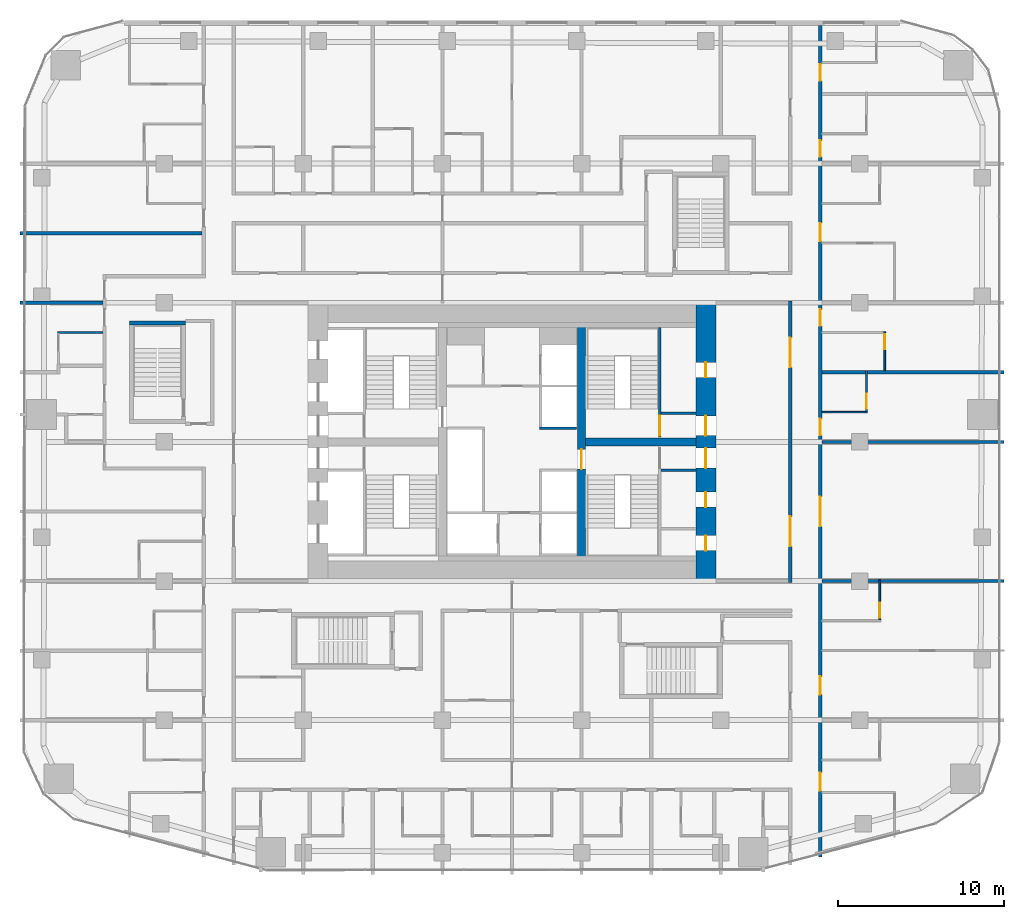
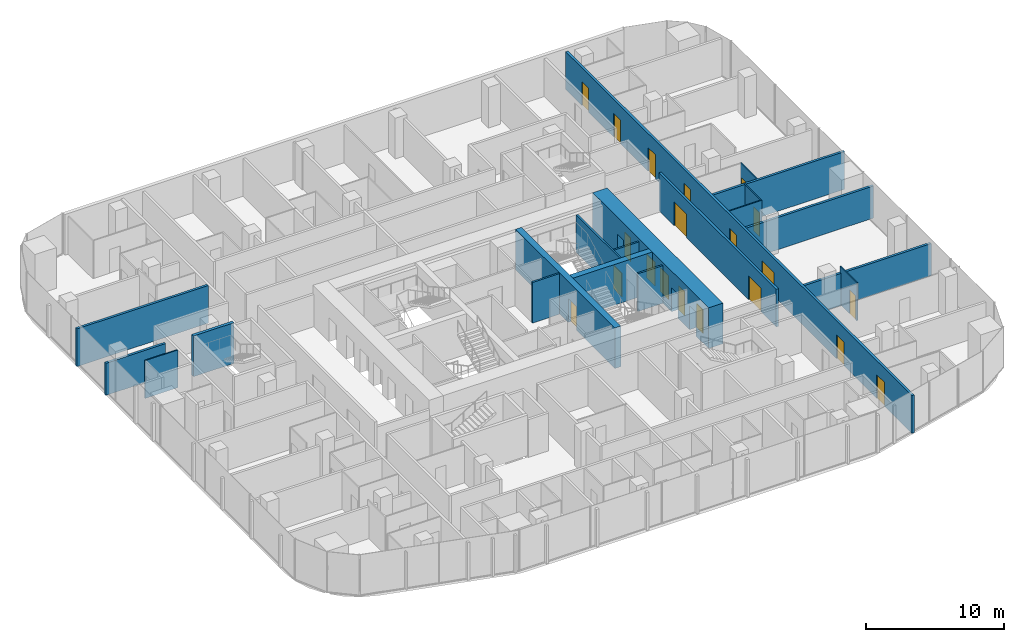
# One storey, part 20 of 26: 20 doors, 20 walls, 20 openings.
"""IFC4 building model written with IfcOpenShell, lengths in metres."""

import ifcopenshell
import ifcopenshell.guid

model = None  # the IFC model being written
_history = None  # IfcOwnerHistory: only IFC2X3 demands one
_inside = {}  # id of a spatial element -> (the spatial element, [elements in it])
_under = {}  # id of a project, library or spatial element -> (it, [spatial elements below it])
_declared = {}  # id of a project -> (the project, [libraries it declares])
_typed = {}  # id of a type object -> (the type object, [elements of that type])
_made_of = {}  # id of a material, layer set ... -> (it, [elements and type objects made of it])


def new_model(schema):
    """Start an empty IFC model of exactly this schema.

    Asked for "IFC4X3", IfcOpenShell would pick the latest addendum, in which some entities
    have other attributes; the version numbers below select the first issue.
    IFC2X3 requires an IfcOwnerHistory on every rooted entity: one is made here for all.
    """
    global model, _history
    if schema == "IFC4X3":
        model = ifcopenshell.file(schema_version=(4, 3, 0, 0))
    else:
        model = ifcopenshell.file(schema=schema)
    _inside.clear()
    _under.clear()
    _declared.clear()
    _typed.clear()
    _made_of.clear()
    _history = None
    if model.schema == "IFC2X3":
        org = make("IfcOrganization", Name="unknown")
        user = make(
            "IfcPersonAndOrganization",
            ThePerson=make("IfcPerson", FamilyName="unknown"),
            TheOrganization=org,
        )
        app = make(
            "IfcApplication",
            ApplicationDeveloper=org,
            Version="unknown",
            ApplicationFullName="unknown",
            ApplicationIdentifier="unknown",
        )
        _history = make(
            "IfcOwnerHistory",
            OwningUser=user,
            OwningApplication=app,
            ChangeAction="ADDED",
            CreationDate=0,
        )
    return model


def make(cls, **values):
    """One entity of the class cls with the attributes given. An attribute that is None is left unset."""
    return model.create_entity(
        cls, **{name: value for name, value in values.items() if value is not None}
    )


def rooted(cls, **values):
    """An entity with a GlobalId (a new one), such as an element, a storey or a relation."""
    return make(cls, GlobalId=ifcopenshell.guid.new(), OwnerHistory=_history, **values)


def si_unit(unit_type, name, prefix=None):
    """IfcSIUnit, for example si_unit("LENGTHUNIT", "METRE", prefix="MILLI")."""
    return make("IfcSIUnit", UnitType=unit_type, Prefix=prefix, Name=name)


def assignment(units):
    """IfcUnitAssignment: the units of a project."""
    return None if units is None else make("IfcUnitAssignment", Units=units)


def point(xyz):
    """IfcCartesianPoint."""
    return None if xyz is None else make("IfcCartesianPoint", Coordinates=xyz)


def direction(xyz):
    """IfcDirection."""
    return None if xyz is None else make("IfcDirection", DirectionRatios=xyz)


def frame(location, z_axis=None, x_axis=None):
    """IfcAxis2Placement3D, a coordinate frame: its origin and axes. An axis left out is left unset."""
    return make(
        "IfcAxis2Placement3D",
        Location=point(location),
        Axis=direction(z_axis),
        RefDirection=direction(x_axis),
    )


def frame_2d(location, x_axis=None):
    """IfcAxis2Placement2D, a coordinate frame in the plane: its origin and x axis."""
    return make(
        "IfcAxis2Placement2D", Location=point(location), RefDirection=direction(x_axis)
    )


def origin():
    """The frame at (0, 0, 0) with its axes left unset."""
    return frame((0.0, 0.0, 0.0))


def place(relative_to, where):
    """IfcLocalPlacement: puts the frame where relative to a parent placement (None: the world)."""
    return make(
        "IfcLocalPlacement", PlacementRelTo=relative_to, RelativePlacement=where
    )


def context(
    kind, dimensions, precision=None, world=None, true_north=None, identifier=None
):
    """IfcGeometricRepresentationContext, for example the 3D "Model" context."""
    return make(
        "IfcGeometricRepresentationContext",
        ContextIdentifier=identifier,
        ContextType=kind,
        CoordinateSpaceDimension=dimensions,
        Precision=precision,
        WorldCoordinateSystem=world,
        TrueNorth=true_north,
    )


def subcontext(parent, identifier, kind, view, scale=None):
    """IfcGeometricRepresentationSubContext, for example "Body" below "Model"."""
    return make(
        "IfcGeometricRepresentationSubContext",
        ContextIdentifier=identifier,
        ContextType=kind,
        ParentContext=parent,
        TargetScale=scale,
        TargetView=view,
    )


def project(units=None, contexts=None):
    """IfcProject with its units and contexts."""
    return rooted(
        "IfcProject",
        Name="project",
        RepresentationContexts=contexts,
        UnitsInContext=assignment(units),
    )


def spatial(cls, under=None, at=None, **own):
    """A site, building, storey or space (cls), placed at a placement, below another one or the project."""
    s = rooted(cls, ObjectPlacement=at, **own)
    if under is not None:
        _under.setdefault(under.id(), (under, []))[1].append(s)
    return s


def profile(cls, at=None, kind="AREA", **sizes):
    """A parametric profile (cls). Its sizes go by their IFC names, for example OverallWidth=200.0."""
    return make(cls, ProfileType=kind, Position=at, **sizes)


def rectangle(**sizes):
    """IfcRectangleProfileDef."""
    return profile("IfcRectangleProfileDef", **sizes)


def extrude(swept, where, along, depth):
    """IfcExtrudedAreaSolid: the profile swept, set in the frame where, extruded along a direction by depth."""
    return make(
        "IfcExtrudedAreaSolid",
        SweptArea=swept,
        Position=where,
        ExtrudedDirection=direction(along),
        Depth=depth,
    )


def shape(context_of_items, identifier, shape_type, items):
    """IfcShapeRepresentation: the items that make up one representation, for example the "Body"."""
    return make(
        "IfcShapeRepresentation",
        ContextOfItems=context_of_items,
        RepresentationIdentifier=identifier,
        RepresentationType=shape_type,
        Items=items,
    )


def material(Name=None, Category=None):
    """IfcMaterial."""
    return make("IfcMaterial", Name=Name, Category=Category)


def layer(
    of_material, thickness, ventilated=None, Name=None, Category=None, Priority=None
):
    """IfcMaterialLayer: one layer of a wall or slab, of a material (None: an air gap)."""
    return make(
        "IfcMaterialLayer",
        Material=of_material,
        LayerThickness=thickness,
        IsVentilated=ventilated,
        Name=Name,
        Category=Category,
        Priority=Priority,
    )


def layer_set(layers, Name=None):
    """IfcMaterialLayerSet."""
    return make("IfcMaterialLayerSet", MaterialLayers=layers, LayerSetName=Name)


def made_of(thing, what):
    """Note that an element or type object is made of a material, layer set ...; save() writes the relation."""
    if what is not None:
        _made_of.setdefault(what.id(), (what, []))[1].append(thing)
    return thing


def type_object(cls, material=None, **own):
    """A type object (cls), such as IfcWallType, which elements share."""
    return made_of(rooted(cls, **own), material)


def element(
    cls,
    number,
    at=None,
    inside=None,
    cuts=None,
    type_object=None,
    material=None,
    context=None,
    identifier="Body",
    shape_type=None,
    held_by="IfcProductDefinitionShape",
    body=None,
    shapes=None,
    **own,
):
    """One element of the class cls, such as IfcWall. Its Tag is "e" and its number.

    at: its placement. inside: the storey or other place that contains it. cuts: it is an
    opening in that element (IfcRelVoidsElement). A single representation is given by context,
    identifier, shape_type and body (its items); several are given by shapes. held_by: the class
    of the entity that holds the representations. save() writes the other relations.
    """
    e = rooted(cls, Tag="e%d" % number, ObjectPlacement=at, **own)
    if body is not None:
        shapes = [shape(context, identifier, shape_type, body)]
    if shapes is not None:
        e.Representation = make(held_by, Representations=shapes)
    if inside is not None:
        _inside.setdefault(inside.id(), (inside, []))[1].append(e)
    if cuts is not None:
        rooted(
            "IfcRelVoidsElement", RelatingBuildingElement=cuts, RelatedOpeningElement=e
        )
    if type_object is not None:
        _typed.setdefault(type_object.id(), (type_object, []))[1].append(e)
    return made_of(e, material)


def fill(opening, filler):
    """IfcRelFillsElement: the door or window that sits in an opening."""
    return rooted(
        "IfcRelFillsElement",
        RelatingOpeningElement=opening,
        RelatedBuildingElement=filler,
    )


def aggregate(whole, parts):
    """IfcRelAggregates: a whole, such as a stair, and the parts it consists of."""
    return rooted("IfcRelAggregates", RelatingObject=whole, RelatedObjects=parts)


def save(model, path):
    """Write the relations noted so far, then the file.

    IfcRelAggregates (storeys below a building ...), IfcRelContainedInSpatialStructure (elements
    in a storey), IfcRelDefinesByType, IfcRelAssociatesMaterial and IfcRelDeclares: one each for
    every whole, place, type object, material and project.
    """
    for whole, parts in _under.values():
        aggregate(whole, parts)
    for where, things in _inside.values():
        rooted(
            "IfcRelContainedInSpatialStructure",
            RelatedElements=things,
            RelatingStructure=where,
        )
    for kind, things in _typed.values():
        rooted("IfcRelDefinesByType", RelatedObjects=things, RelatingType=kind)
    for what, things in _made_of.values():
        rooted("IfcRelAssociatesMaterial", RelatedObjects=things, RelatingMaterial=what)
    for by, libraries in _declared.values():
        rooted("IfcRelDeclares", RelatingContext=by, RelatedDefinitions=libraries)
    model.write(path)


model = new_model("IFC4")

# Units and contexts
model_context = context("Model", 3, precision=1e-05, world=origin(), true_north=direction((0.0, 1.0)))
body_context = subcontext(model_context, "Body", "Model", "MODEL_VIEW")
ifc_project = project(units=[si_unit("LENGTHUNIT", "METRE"), si_unit("AREAUNIT", "SQUARE_METRE"), si_unit("VOLUMEUNIT", "CUBIC_METRE"), si_unit("PLANEANGLEUNIT", "RADIAN"), si_unit("MASSUNIT", "GRAM", prefix="KILO")], contexts=[model_context])

# Site, building, storey
site_placement = place(None, origin())
site = spatial("IfcSite", under=ifc_project, at=site_placement, CompositionType="ELEMENT")
building_placement = place(site_placement, origin())
building = spatial("IfcBuilding", under=site, at=building_placement, Name="Marenta Gate Hotel Tower", CompositionType="ELEMENT")
storey_placement = place(building_placement, frame((0.0, 0.0, 43.699951171875)))
storey = spatial("IfcBuildingStorey", under=building, at=storey_placement, Name="L08", CompositionType="ELEMENT", Elevation=43.699951171875)

# Wall, openings, doors
ifc_material_1 = material(Name="Concrete blockwork", Category="masonry")
ifc_layer_1 = layer(ifc_material_1, 0.199951171875)
ifc_layer_set_1 = layer_set([ifc_layer_1], Name="Concrete blockwork")
wall_type_1 = type_object("IfcWallType", Name="Core boundary wall 200 REI 180", PredefinedType="PARTITIONING", material=ifc_layer_set_1)
wall_1_placement = place(storey_placement, frame((16.800048828125, -0.10009765625, 0.0), z_axis=(0.0, 0.0, 1.0), x_axis=(0.0, 1.0, 0.0)))
wall_1 = element("IfcWall", 1, at=wall_1_placement, inside=storey, type_object=wall_type_1, Name="L08-CP-BW-E", PredefinedType="PARTITIONING", context=body_context, shape_type="SweptSolid", body=[
    extrude(rectangle(XDim=17.0, YDim=0.199951171875, at=frame_2d((8.5, 0.0))), origin(), (0.0, 0.0, 1.0), 3.340087890625),
])
opening_1_placement = place(wall_1_placement, frame((2.199951171875, 0.0, 0.0)))
opening_1 = element("IfcOpeningElement", 2, at=opening_1_placement, cuts=wall_1, Name="Opening ED-Ea-B", PredefinedType="OPENING", context=body_context, shape_type="SweptSolid", body=[
    extrude(rectangle(XDim=1.800048828125, YDim=2.10009765625, at=frame_2d((0.89990234375, 1.050048828125))), frame((0.0, 0.10009765625, 0.0), z_axis=(0.0, -1.0, 0.0), x_axis=(1.0, 0.0, 0.0)), (0.0, 0.0, 1.0), 0.199951171875),
])
opening_2_placement = place(wall_1_placement, frame((13.0, 0.0, 0.0)))
opening_2 = element("IfcOpeningElement", 3, at=opening_2_placement, cuts=wall_1, Name="Opening ED-Eb-B", PredefinedType="OPENING", context=body_context, shape_type="SweptSolid", body=[
    extrude(rectangle(XDim=1.800048828125, YDim=2.10009765625, at=frame_2d((0.89990234375, 1.050048828125))), frame((0.0, 0.10009765625, 0.0), z_axis=(0.0, -1.0, 0.0), x_axis=(1.0, 0.0, 0.0)), (0.0, 0.0, 1.0), 0.199951171875),
])
ifc_material_2 = material(Name="Steel", Category="steel")
door_type_1 = type_object("IfcDoorType", Name="Core lobby entrance door 1800x2100 EI 60", OperationType="DOUBLE_DOOR_SINGLE_SWING", PredefinedType="DOOR", material=ifc_material_2)
door_1_placement = place(opening_1_placement, origin())
door_1 = element("IfcDoor", 4, at=door_1_placement, inside=storey, type_object=door_type_1, Name="ED-Ea-B", OperationType="DOUBLE_DOOR_SINGLE_SWING", OverallHeight=2.10009765625, OverallWidth=1.800048828125, PredefinedType="DOOR", context=body_context, shape_type="SweptSolid", body=[
    extrude(rectangle(XDim=1.800048828125, YDim=2.10009765625, at=frame_2d((0.89990234375, 1.050048828125))), frame((0.0, 0.02490234375, 0.0), z_axis=(0.0, -1.0, 0.0), x_axis=(1.0, 0.0, 0.0)), (0.0, 0.0, 1.0), 0.050048828125),
])
fill(opening_1, door_1)
door_2_placement = place(opening_2_placement, origin())
door_2 = element("IfcDoor", 5, at=door_2_placement, inside=storey, type_object=door_type_1, Name="ED-Eb-B", OperationType="DOUBLE_DOOR_SINGLE_SWING", OverallHeight=2.10009765625, OverallWidth=1.800048828125, PredefinedType="DOOR", context=body_context, shape_type="SweptSolid", body=[
    extrude(rectangle(XDim=1.800048828125, YDim=2.10009765625, at=frame_2d((0.89990234375, 1.050048828125))), frame((0.0, 0.02490234375, 0.0), z_axis=(0.0, -1.0, 0.0), x_axis=(1.0, 0.0, 0.0)), (0.0, 0.0, 1.0), 0.050048828125),
])
fill(opening_2, door_2)

# Walls
ifc_material_3 = material(Name="Concrete blockwork", Category="masonry")
ifc_layer_2 = layer(ifc_material_3, 0.14990234375)
ifc_layer_set_2 = layer_set([ifc_layer_2], Name="Concrete blockwork")
wall_type_2 = type_object("IfcWallType", Name="Core room partition 150 REI 180", PredefinedType="PARTITIONING", material=ifc_layer_set_2)
for number, where, z_axis, x_axis, name in (
    (6, (9.0, 6.675048828125, 0.0), (0.0, 0.0, 1.0), (1.0, 0.0, 0.0), "L08-CP-SW-ES-2"),
    (7, (9.0, 10.125, 0.0), (0.0, 0.0, 1.0), (1.0, 0.0, 0.0), "L08-CP-SW-EN-2"),
):
    element("IfcWall", number, at=place(storey_placement, frame(where, z_axis=z_axis, x_axis=x_axis)), inside=storey, type_object=wall_type_2, Name=name, PredefinedType="PARTITIONING", context=body_context, shape_type="SweptSolid", body=[
        extrude(rectangle(XDim=2.10009765625, YDim=0.14990234375, at=frame_2d((1.050048828125, 0.0))), origin(), (0.0, 0.0, 1.0), 3.340087890625),
    ])
ifc_material_4 = material(Name="Concrete C40", Category="concrete")
ifc_layer_3 = layer(ifc_material_4, 0.14990234375)
ifc_layer_set_3 = layer_set([ifc_layer_3], Name="Concrete C40")
wall_type_3 = type_object("IfcWallType", Name="Core shaft wall 150 REI 180", PredefinedType="SHEAR", material=ifc_layer_set_3)
wall_2_placement = place(storey_placement, frame((1.64990234375, 9.22509765625, 0.0), z_axis=(0.0, 0.0, 1.0), x_axis=(1.0, 0.0, 0.0)))
element("IfcWall", 8, at=wall_2_placement, inside=storey, type_object=wall_type_3, Name="L08-SHF-CE-sep2", PredefinedType="SHEAR", context=body_context, shape_type="SweptSolid", body=[
    extrude(rectangle(XDim=2.25, YDim=0.14990234375, at=frame_2d((1.125, 0.0))), origin(), (0.0, 0.0, 1.0), 3.60009765625),
])

# Wall, opening, door
ifc_material_5 = material(Name="Concrete C40", Category="concrete")
ifc_layer_4 = layer(ifc_material_5, 0.14990234375)
ifc_layer_set_4 = layer_set([ifc_layer_4], Name="Concrete C40")
wall_type_4 = type_object("IfcWallType", Name="Core stair enclosure wall 150 REI 180", PredefinedType="SHEAR", material=ifc_layer_set_4)
wall_3_placement = place(storey_placement, frame((8.925048828125, 8.699951171875, 0.0), z_axis=(0.0, 0.0, 1.0), x_axis=(0.0, 1.0, 0.0)))
wall_3 = element("IfcWall", 9, at=wall_3_placement, inside=storey, type_object=wall_type_4, Name="L08-SHF-SW-EN-3", PredefinedType="SHEAR", context=body_context, shape_type="SweptSolid", body=[
    extrude(rectangle(XDim=6.60009765625, YDim=0.14990234375, at=frame_2d((3.300048828125, 0.0))), origin(), (0.0, 0.0, 1.0), 3.340087890625),
])
opening_3_placement = place(wall_3_placement, frame((0.074951171875, 0.0, 0.0)))
opening_3 = element("IfcOpeningElement", 10, at=opening_3_placement, cuts=wall_3, Name="Opening SD-EN", PredefinedType="OPENING", context=body_context, shape_type="SweptSolid", body=[
    extrude(rectangle(XDim=1.199951171875, YDim=2.10009765625, at=frame_2d((0.60009765625, 1.050048828125))), frame((0.0, 0.074951171875, 0.0), z_axis=(0.0, -1.0, 0.0), x_axis=(1.0, 0.0, 0.0)), (0.0, 0.0, 1.0), 0.14990234375),
])
ifc_material_6 = material(Name="Steel", Category="steel")
door_type_2 = type_object("IfcDoorType", Name="Core stair door 1200x2100 FD60", OperationType="SINGLE_SWING_LEFT", PredefinedType="DOOR", material=ifc_material_6)
door_3_placement = place(opening_3_placement, origin())
door_3 = element("IfcDoor", 11, at=door_3_placement, inside=storey, type_object=door_type_2, Name="SD-EN", OperationType="SINGLE_SWING_LEFT", OverallHeight=2.10009765625, OverallWidth=1.199951171875, PredefinedType="DOOR", context=body_context, shape_type="SweptSolid", body=[
    extrude(rectangle(XDim=1.199951171875, YDim=2.10009765625, at=frame_2d((0.60009765625, 1.050048828125))), frame((0.0, 0.02490234375, 0.0), z_axis=(0.0, -1.0, 0.0), x_axis=(1.0, 0.0, 0.0)), (0.0, 0.0, 1.0), 0.050048828125),
])
fill(opening_3, door_3)

# Wall, openings, doors
ifc_material_7 = material(Name="Concrete C80", Category="concrete")
ifc_layer_5 = layer(ifc_material_7, 1.199951171875)
ifc_layer_set_5 = layer_set([ifc_layer_5], Name="Concrete C80")
wall_type_5 = type_object("IfcWallType", Name="Core wall 1200 C80", PredefinedType="SHEAR", material=ifc_layer_set_5)
wall_4_placement = place(storey_placement, frame((11.699951171875, 0.0, 0.0), z_axis=(0.0, 0.0, 1.0), x_axis=(0.0, 1.0, 0.0)))
wall_4 = element("IfcWall", 12, at=wall_4_placement, inside=storey, type_object=wall_type_5, Name="L08-CORE-E", PredefinedType="SHEAR", context=body_context, shape_type="SweptSolid", body=[
    extrude(rectangle(XDim=16.800048828125, YDim=1.199951171875, at=frame_2d((8.39990234375, 0.0))), origin(), (0.0, 0.0, 1.0), 3.60009765625),
])
opening_4_placement = place(wall_4_placement, frame((1.83740234375, 0.0, 0.0)))
opening_4 = element("IfcOpeningElement", 13, at=opening_4_placement, cuts=wall_4, Name="Opening RD-ES-1", PredefinedType="OPENING", context=body_context, shape_type="SweptSolid", body=[
    extrude(rectangle(XDim=0.89990234375, YDim=2.10009765625, at=frame_2d((0.449951171875, 1.050048828125))), frame((0.0, 0.60009765625, 0.0), z_axis=(0.0, -1.0, 0.0), x_axis=(1.0, 0.0, 0.0)), (0.0, 0.0, 1.0), 1.199951171875),
])
opening_5_placement = place(wall_4_placement, frame((4.46240234375, 0.0, 0.0)))
opening_5 = element("IfcOpeningElement", 14, at=opening_5_placement, cuts=wall_4, Name="Opening RD-ES-2", PredefinedType="OPENING", context=body_context, shape_type="SweptSolid", body=[
    extrude(rectangle(XDim=0.89990234375, YDim=2.10009765625, at=frame_2d((0.449951171875, 1.050048828125))), frame((0.0, 0.60009765625, 0.0), z_axis=(0.0, -1.0, 0.0), x_axis=(1.0, 0.0, 0.0)), (0.0, 0.0, 1.0), 1.199951171875),
])
opening_6_placement = place(wall_4_placement, frame((6.824951171875, 0.0, 0.0)))
opening_6 = element("IfcOpeningElement", 15, at=opening_6_placement, cuts=wall_4, Name="Opening PD-ES", PredefinedType="OPENING", context=body_context, shape_type="SweptSolid", body=[
    extrude(rectangle(XDim=1.199951171875, YDim=2.10009765625, at=frame_2d((0.60009765625, 1.050048828125))), frame((0.0, 0.60009765625, 0.0), z_axis=(0.0, -1.0, 0.0), x_axis=(1.0, 0.0, 0.0)), (0.0, 0.0, 1.0), 1.199951171875),
])
opening_7_placement = place(wall_4_placement, frame((12.300048828125, 0.0, 0.0)))
opening_7 = element("IfcOpeningElement", 16, at=opening_7_placement, cuts=wall_4, Name="Opening RD-EN-1", PredefinedType="OPENING", context=body_context, shape_type="SweptSolid", body=[
    extrude(rectangle(XDim=0.89990234375, YDim=2.10009765625, at=frame_2d((0.449951171875, 1.050048828125))), frame((0.0, 0.60009765625, 0.0), z_axis=(0.0, -1.0, 0.0), x_axis=(1.0, 0.0, 0.0)), (0.0, 0.0, 1.0), 1.199951171875),
])
opening_8_placement = place(wall_4_placement, frame((8.77490234375, 0.0, 0.0)))
opening_8 = element("IfcOpeningElement", 17, at=opening_8_placement, cuts=wall_4, Name="Opening PD-EN", PredefinedType="OPENING", context=body_context, shape_type="SweptSolid", body=[
    extrude(rectangle(XDim=1.199951171875, YDim=2.10009765625, at=frame_2d((0.60009765625, 1.050048828125))), frame((0.0, 0.60009765625, 0.0), z_axis=(0.0, -1.0, 0.0), x_axis=(1.0, 0.0, 0.0)), (0.0, 0.0, 1.0), 1.199951171875),
])
ifc_material_8 = material(Name="Steel", Category="steel")
door_type_3 = type_object("IfcDoorType", Name="Core lobby door 1200x2100 FD60", OperationType="SINGLE_SWING_LEFT", PredefinedType="DOOR", material=ifc_material_8)
door_4_placement = place(opening_6_placement, origin())
door_4 = element("IfcDoor", 18, at=door_4_placement, inside=storey, type_object=door_type_3, Name="PD-ES", OperationType="SINGLE_SWING_LEFT", OverallHeight=2.10009765625, OverallWidth=1.199951171875, PredefinedType="DOOR", context=body_context, shape_type="SweptSolid", body=[
    extrude(rectangle(XDim=1.199951171875, YDim=2.10009765625, at=frame_2d((0.60009765625, 1.050048828125))), frame((0.0, 0.02490234375, 0.0), z_axis=(0.0, -1.0, 0.0), x_axis=(1.0, 0.0, 0.0)), (0.0, 0.0, 1.0), 0.050048828125),
])
fill(opening_6, door_4)
door_5_placement = place(opening_8_placement, origin())
door_5 = element("IfcDoor", 19, at=door_5_placement, inside=storey, type_object=door_type_3, Name="PD-EN", OperationType="SINGLE_SWING_LEFT", OverallHeight=2.10009765625, OverallWidth=1.199951171875, PredefinedType="DOOR", context=body_context, shape_type="SweptSolid", body=[
    extrude(rectangle(XDim=1.199951171875, YDim=2.10009765625, at=frame_2d((0.60009765625, 1.050048828125))), frame((0.0, 0.02490234375, 0.0), z_axis=(0.0, -1.0, 0.0), x_axis=(1.0, 0.0, 0.0)), (0.0, 0.0, 1.0), 0.050048828125),
])
fill(opening_8, door_5)
ifc_material_9 = material(Name="Steel", Category="steel")
door_type_4 = type_object("IfcDoorType", Name="Core service room door 900x2100 FD30S", OperationType="SINGLE_SWING_LEFT", PredefinedType="DOOR", material=ifc_material_9)
door_6_placement = place(opening_4_placement, origin())
door_6 = element("IfcDoor", 20, at=door_6_placement, inside=storey, type_object=door_type_4, Name="RD-ES-1", OperationType="SINGLE_SWING_LEFT", OverallHeight=2.10009765625, OverallWidth=0.89990234375, PredefinedType="DOOR", context=body_context, shape_type="SweptSolid", body=[
    extrude(rectangle(XDim=0.89990234375, YDim=2.10009765625, at=frame_2d((0.449951171875, 1.050048828125))), frame((0.0, 0.02490234375, 0.0), z_axis=(0.0, -1.0, 0.0), x_axis=(1.0, 0.0, 0.0)), (0.0, 0.0, 1.0), 0.050048828125),
])
fill(opening_4, door_6)
door_7_placement = place(opening_5_placement, origin())
door_7 = element("IfcDoor", 21, at=door_7_placement, inside=storey, type_object=door_type_4, Name="RD-ES-2", OperationType="SINGLE_SWING_LEFT", OverallHeight=2.10009765625, OverallWidth=0.89990234375, PredefinedType="DOOR", context=body_context, shape_type="SweptSolid", body=[
    extrude(rectangle(XDim=0.89990234375, YDim=2.10009765625, at=frame_2d((0.449951171875, 1.050048828125))), frame((0.0, 0.02490234375, 0.0), z_axis=(0.0, -1.0, 0.0), x_axis=(1.0, 0.0, 0.0)), (0.0, 0.0, 1.0), 0.050048828125),
])
fill(opening_5, door_7)
door_8_placement = place(opening_7_placement, origin())
door_8 = element("IfcDoor", 22, at=door_8_placement, inside=storey, type_object=door_type_4, Name="RD-EN-1", OperationType="SINGLE_SWING_LEFT", OverallHeight=2.10009765625, OverallWidth=0.89990234375, PredefinedType="DOOR", context=body_context, shape_type="SweptSolid", body=[
    extrude(rectangle(XDim=0.89990234375, YDim=2.10009765625, at=frame_2d((0.449951171875, 1.050048828125))), frame((0.0, 0.02490234375, 0.0), z_axis=(0.0, -1.0, 0.0), x_axis=(1.0, 0.0, 0.0)), (0.0, 0.0, 1.0), 0.050048828125),
])
fill(opening_7, door_8)

# Wall, opening, door
ifc_material_10 = material(Name="Concrete C80", Category="concrete")
ifc_layer_6 = layer(ifc_material_10, 0.5)
ifc_layer_set_6 = layer_set([ifc_layer_6], Name="Concrete C80")
wall_type_6 = type_object("IfcWallType", Name="Core web 500 C80", PredefinedType="SHEAR", material=ifc_layer_set_6)
wall_5_placement = place(storey_placement, frame((4.199951171875, 1.199951171875, 0.0), z_axis=(0.0, 0.0, 1.0), x_axis=(0.0, 1.0, 0.0)))
wall_5 = element("IfcWall", 23, at=wall_5_placement, inside=storey, type_object=wall_type_6, Name="L08-CORE-W2", PredefinedType="SHEAR", context=body_context, shape_type="SweptSolid", body=[
    extrude(rectangle(XDim=14.400146484375, YDim=0.5, at=frame_2d((7.2001953125, 0.0))), origin(), (0.0, 0.0, 1.0), 3.60009765625),
])
opening_9_placement = place(wall_5_placement, frame((5.550048828125, 0.0, 0.0)))
opening_9 = element("IfcOpeningElement", 24, at=opening_9_placement, cuts=wall_5, Name="Opening WD-E", PredefinedType="OPENING", context=body_context, shape_type="SweptSolid", body=[
    extrude(rectangle(XDim=1.199951171875, YDim=2.10009765625, at=frame_2d((0.60009765625, 1.050048828125))), frame((0.0, 0.25, 0.0), z_axis=(0.0, -1.0, 0.0), x_axis=(1.0, 0.0, 0.0)), (0.0, 0.0, 1.0), 0.5),
])
door_9_placement = place(opening_9_placement, origin())
door_9 = element("IfcDoor", 25, at=door_9_placement, inside=storey, type_object=door_type_2, Name="WD-E", OperationType="SINGLE_SWING_LEFT", OverallHeight=2.10009765625, OverallWidth=1.199951171875, PredefinedType="DOOR", context=body_context, shape_type="SweptSolid", body=[
    extrude(rectangle(XDim=1.199951171875, YDim=2.10009765625, at=frame_2d((0.60009765625, 1.050048828125))), frame((0.0, 0.02490234375, 0.0), z_axis=(0.0, -1.0, 0.0), x_axis=(1.0, 0.0, 0.0)), (0.0, 0.0, 1.0), 0.050048828125),
])
fill(opening_9, door_9)

# Walls
wall_6_placement = place(storey_placement, frame((4.449951171875, 8.39990234375, 0.0), z_axis=(0.0, 0.0, 1.0), x_axis=(1.0, 0.0, 0.0)))
element("IfcWall", 26, at=wall_6_placement, inside=storey, type_object=wall_type_6, Name="L08-CORE-W4", PredefinedType="SHEAR", context=body_context, shape_type="SweptSolid", body=[
    extrude(rectangle(XDim=6.650146484375, YDim=0.5, at=frame_2d((3.3251953125, 0.0))), origin(), (0.0, 0.0, 1.0), 3.60009765625),
])
ifc_material_11 = material(Name="Concrete C40", Category="concrete")
ifc_layer_7 = layer(ifc_material_11, 0.25)
ifc_layer_set_7 = layer_set([ifc_layer_7], Name="Concrete C40")
wall_type_7 = type_object("IfcWallType", Name="Remote stair enclosure wall 250 REI 180", PredefinedType="SHEAR", material=ifc_layer_set_7)
wall_7_placement = place(storey_placement, frame((-23.10009765625, 15.574951171875, 0.10009765625), z_axis=(0.0, 0.0, 1.0), x_axis=(1.0, 0.0, 0.0)))
element("IfcWall", 27, at=wall_7_placement, inside=storey, type_object=wall_type_7, Name="L08-RS-Z1-3-W2", PredefinedType="SHEAR", context=body_context, shape_type="SweptSolid", body=[
    extrude(rectangle(XDim=3.400146484375, YDim=0.25, at=frame_2d((1.7001953125, 0.0))), origin(), (0.0, 0.0, 1.0), 3.599853515625),
])

# Wall, openings, doors
ifc_material_12 = material(Name="Gypsum board on steel stud", Category="steel")
ifc_layer_8 = layer(ifc_material_12, 0.199951171875)
ifc_layer_set_8 = layer_set([ifc_layer_8], Name="Gypsum board on steel stud")
wall_type_8 = type_object("IfcWallType", Name="Room corridor wall 200 EI 60", PredefinedType="PARTITIONING", material=ifc_layer_set_8)
wall_8_placement = place(storey_placement, frame((18.60009765625, -16.6650390625, 0.0), z_axis=(0.0, 0.0, 1.0), x_axis=(0.0, 1.0, 0.0)))
wall_8 = element("IfcWall", 28, at=wall_8_placement, inside=storey, type_object=wall_type_8, Name="L08-PTN-W012", PredefinedType="PARTITIONING", context=body_context, shape_type="SweptSolid", body=[
    extrude(rectangle(XDim=50.205078125, YDim=0.199951171875, at=frame_2d((25.1025390625, 0.0))), origin(), (0.0, 0.0, 1.0), 3.340087890625),
])
opening_10_placement = place(wall_8_placement, frame((4.0, 0.0, 0.0)))
opening_10 = element("IfcOpeningElement", 29, at=opening_10_placement, cuts=wall_8, Name="Opening G02-12", PredefinedType="OPENING", context=body_context, shape_type="SweptSolid", body=[
    extrude(rectangle(XDim=1.10009765625, YDim=2.10009765625, at=frame_2d((0.550048828125, 1.050048828125))), frame((0.0, 0.10009765625, 0.0), z_axis=(0.0, -1.0, 0.0), x_axis=(1.0, 0.0, 0.0)), (0.0, 0.0, 1.0), 0.199951171875),
])
opening_11_placement = place(wall_8_placement, frame((9.81494140625, 0.0, 0.0)))
opening_11 = element("IfcOpeningElement", 30, at=opening_11_placement, cuts=wall_8, Name="Opening G02-15", PredefinedType="OPENING", context=body_context, shape_type="SweptSolid", body=[
    extrude(rectangle(XDim=1.10009765625, YDim=2.10009765625, at=frame_2d((0.550048828125, 1.050048828125))), frame((0.0, 0.10009765625, 0.0), z_axis=(0.0, -1.0, 0.0), x_axis=(1.0, 0.0, 0.0)), (0.0, 0.0, 1.0), 0.199951171875),
])
opening_12_placement = place(wall_8_placement, frame((19.965087890625, 0.0, 0.0)))
opening_12 = element("IfcOpeningElement", 31, at=opening_12_placement, cuts=wall_8, Name="Opening G02-18", PredefinedType="OPENING", context=body_context, shape_type="SweptSolid", body=[
    extrude(rectangle(XDim=1.800048828125, YDim=2.10009765625, at=frame_2d((0.89990234375, 1.050048828125))), frame((0.0, 0.10009765625, 0.0), z_axis=(0.0, -1.0, 0.0), x_axis=(1.0, 0.0, 0.0)), (0.0, 0.0, 1.0), 0.199951171875),
])
opening_13_placement = place(wall_8_placement, frame((25.465087890625, 0.0, 0.0)))
opening_13 = element("IfcOpeningElement", 32, at=opening_13_placement, cuts=wall_8, Name="Opening G02-19", PredefinedType="OPENING", context=body_context, shape_type="SweptSolid", body=[
    extrude(rectangle(XDim=1.0, YDim=2.10009765625, at=frame_2d((0.5, 1.050048828125))), frame((0.0, 0.10009765625, 0.0), z_axis=(0.0, -1.0, 0.0), x_axis=(1.0, 0.0, 0.0)), (0.0, 0.0, 1.0), 0.199951171875),
])
opening_14_placement = place(wall_8_placement, frame((32.06494140625, 0.0, 0.0)))
opening_14 = element("IfcOpeningElement", 33, at=opening_14_placement, cuts=wall_8, Name="Opening G02-21", PredefinedType="OPENING", context=body_context, shape_type="SweptSolid", body=[
    extrude(rectangle(XDim=1.0, YDim=2.10009765625, at=frame_2d((0.5, 1.050048828125))), frame((0.0, 0.10009765625, 0.0), z_axis=(0.0, -1.0, 0.0), x_axis=(1.0, 0.0, 0.0)), (0.0, 0.0, 1.0), 0.199951171875),
])
opening_15_placement = place(wall_8_placement, frame((37.1650390625, 0.0, 0.0)))
opening_15 = element("IfcOpeningElement", 34, at=opening_15_placement, cuts=wall_8, Name="Opening G02-23", PredefinedType="OPENING", context=body_context, shape_type="SweptSolid", body=[
    extrude(rectangle(XDim=1.10009765625, YDim=2.10009765625, at=frame_2d((0.550048828125, 1.050048828125))), frame((0.0, 0.10009765625, 0.0), z_axis=(0.0, -1.0, 0.0), x_axis=(1.0, 0.0, 0.0)), (0.0, 0.0, 1.0), 0.199951171875),
])
opening_16_placement = place(wall_8_placement, frame((42.264892578125, 0.0, 0.0)))
opening_16 = element("IfcOpeningElement", 35, at=opening_16_placement, cuts=wall_8, Name="Opening G02-26", PredefinedType="OPENING", context=body_context, shape_type="SweptSolid", body=[
    extrude(rectangle(XDim=1.0, YDim=2.10009765625, at=frame_2d((0.5, 1.050048828125))), frame((0.0, 0.10009765625, 0.0), z_axis=(0.0, -1.0, 0.0), x_axis=(1.0, 0.0, 0.0)), (0.0, 0.0, 1.0), 0.199951171875),
])
opening_17_placement = place(wall_8_placement, frame((46.864990234375, 0.0, 0.0)))
opening_17 = element("IfcOpeningElement", 36, at=opening_17_placement, cuts=wall_8, Name="Opening G02-28", PredefinedType="OPENING", context=body_context, shape_type="SweptSolid", body=[
    extrude(rectangle(XDim=1.0, YDim=2.10009765625, at=frame_2d((0.5, 1.050048828125))), frame((0.0, 0.10009765625, 0.0), z_axis=(0.0, -1.0, 0.0), x_axis=(1.0, 0.0, 0.0)), (0.0, 0.0, 1.0), 0.199951171875),
])
ifc_material_13 = material(Name="Timber door leaf", Category="wood")
door_type_5 = type_object("IfcDoorType", Name="Guest room door 1000x2100 EI 30", OperationType="NOTDEFINED", PredefinedType="DOOR", material=ifc_material_13)
door_10_placement = place(opening_13_placement, origin())
door_10 = element("IfcDoor", 37, at=door_10_placement, inside=storey, type_object=door_type_5, Name="L08-PD-D019", OperationType="SINGLE_SWING_LEFT", OverallHeight=2.10009765625, OverallWidth=1.0, PredefinedType="DOOR", context=body_context, shape_type="SweptSolid", body=[
    extrude(rectangle(XDim=1.0, YDim=2.10009765625, at=frame_2d((0.5, 1.050048828125))), frame((0.0, 0.02490234375, 0.0), z_axis=(0.0, -1.0, 0.0), x_axis=(1.0, 0.0, 0.0)), (0.0, 0.0, 1.0), 0.050048828125),
])
fill(opening_13, door_10)
door_11_placement = place(opening_14_placement, origin())
door_11 = element("IfcDoor", 38, at=door_11_placement, inside=storey, type_object=door_type_5, Name="L08-PD-D021", OperationType="SINGLE_SWING_LEFT", OverallHeight=2.10009765625, OverallWidth=1.0, PredefinedType="DOOR", context=body_context, shape_type="SweptSolid", body=[
    extrude(rectangle(XDim=1.0, YDim=2.10009765625, at=frame_2d((0.5, 1.050048828125))), frame((0.0, 0.02490234375, 0.0), z_axis=(0.0, -1.0, 0.0), x_axis=(1.0, 0.0, 0.0)), (0.0, 0.0, 1.0), 0.050048828125),
])
fill(opening_14, door_11)
door_12_placement = place(opening_16_placement, origin())
door_12 = element("IfcDoor", 39, at=door_12_placement, inside=storey, type_object=door_type_5, Name="L08-PD-D026", OperationType="SINGLE_SWING_RIGHT", OverallHeight=2.10009765625, OverallWidth=1.0, PredefinedType="DOOR", context=body_context, shape_type="SweptSolid", body=[
    extrude(rectangle(XDim=1.0, YDim=2.10009765625, at=frame_2d((0.5, 1.050048828125))), frame((0.0, 0.02490234375, 0.0), z_axis=(0.0, -1.0, 0.0), x_axis=(1.0, 0.0, 0.0)), (0.0, 0.0, 1.0), 0.050048828125),
])
fill(opening_16, door_12)
door_13_placement = place(opening_17_placement, origin())
door_13 = element("IfcDoor", 40, at=door_13_placement, inside=storey, type_object=door_type_5, Name="L08-PD-D028", OperationType="SINGLE_SWING_LEFT", OverallHeight=2.10009765625, OverallWidth=1.0, PredefinedType="DOOR", context=body_context, shape_type="SweptSolid", body=[
    extrude(rectangle(XDim=1.0, YDim=2.10009765625, at=frame_2d((0.5, 1.050048828125))), frame((0.0, 0.02490234375, 0.0), z_axis=(0.0, -1.0, 0.0), x_axis=(1.0, 0.0, 0.0)), (0.0, 0.0, 1.0), 0.050048828125),
])
fill(opening_17, door_13)
ifc_material_14 = material(Name="Timber door leaf", Category="wood")
door_type_6 = type_object("IfcDoorType", Name="Guest room door 1100x2100 EI 30", OperationType="NOTDEFINED", PredefinedType="DOOR", material=ifc_material_14)
door_14_placement = place(opening_10_placement, origin())
door_14 = element("IfcDoor", 41, at=door_14_placement, inside=storey, type_object=door_type_6, Name="L08-PD-D012", OperationType="SINGLE_SWING_RIGHT", OverallHeight=2.10009765625, OverallWidth=1.10009765625, PredefinedType="DOOR", context=body_context, shape_type="SweptSolid", body=[
    extrude(rectangle(XDim=1.10009765625, YDim=2.10009765625, at=frame_2d((0.550048828125, 1.050048828125))), frame((0.0, 0.02490234375, 0.0), z_axis=(0.0, -1.0, 0.0), x_axis=(1.0, 0.0, 0.0)), (0.0, 0.0, 1.0), 0.050048828125),
])
fill(opening_10, door_14)
door_15_placement = place(opening_11_placement, origin())
door_15 = element("IfcDoor", 42, at=door_15_placement, inside=storey, type_object=door_type_6, Name="L08-PD-D015", OperationType="SINGLE_SWING_LEFT", OverallHeight=2.10009765625, OverallWidth=1.10009765625, PredefinedType="DOOR", context=body_context, shape_type="SweptSolid", body=[
    extrude(rectangle(XDim=1.10009765625, YDim=2.10009765625, at=frame_2d((0.550048828125, 1.050048828125))), frame((0.0, 0.02490234375, 0.0), z_axis=(0.0, -1.0, 0.0), x_axis=(1.0, 0.0, 0.0)), (0.0, 0.0, 1.0), 0.050048828125),
])
fill(opening_11, door_15)
door_16_placement = place(opening_15_placement, origin())
door_16 = element("IfcDoor", 43, at=door_16_placement, inside=storey, type_object=door_type_6, Name="L08-PD-D023", OperationType="SINGLE_SWING_RIGHT", OverallHeight=2.10009765625, OverallWidth=1.10009765625, PredefinedType="DOOR", context=body_context, shape_type="SweptSolid", body=[
    extrude(rectangle(XDim=1.10009765625, YDim=2.10009765625, at=frame_2d((0.550048828125, 1.050048828125))), frame((0.0, 0.02490234375, 0.0), z_axis=(0.0, -1.0, 0.0), x_axis=(1.0, 0.0, 0.0)), (0.0, 0.0, 1.0), 0.050048828125),
])
fill(opening_15, door_16)
ifc_material_15 = material(Name="Timber door leaf", Category="wood")
door_type_7 = type_object("IfcDoorType", Name="Room amenity door 1800x2100 EI 30", OperationType="DOUBLE_DOOR_SINGLE_SWING", PredefinedType="DOOR", material=ifc_material_15)
door_17_placement = place(opening_12_placement, origin())
door_17 = element("IfcDoor", 44, at=door_17_placement, inside=storey, type_object=door_type_7, Name="L08-PD-D018", OperationType="DOUBLE_DOOR_SINGLE_SWING", OverallHeight=2.10009765625, OverallWidth=1.800048828125, PredefinedType="DOOR", context=body_context, shape_type="SweptSolid", body=[
    extrude(rectangle(XDim=1.800048828125, YDim=2.10009765625, at=frame_2d((0.89990234375, 1.050048828125))), frame((0.0, 0.02490234375, 0.0), z_axis=(0.0, -1.0, 0.0), x_axis=(1.0, 0.0, 0.0)), (0.0, 0.0, 1.0), 0.050048828125),
])
fill(opening_12, door_17)

# Wall, opening, door
ifc_material_16 = material(Name="Gypsum board on steel stud", Category="steel")
ifc_layer_9 = layer(ifc_material_16, 0.10009765625)
ifc_layer_set_9 = layer_set([ifc_layer_9], Name="Gypsum board on steel stud")
wall_type_9 = type_object("IfcWallType", Name="Room partition 100", PredefinedType="PARTITIONING", material=ifc_layer_set_9)
wall_9_placement = place(storey_placement, frame((22.5, 12.699951171875, 0.0), z_axis=(0.0, 0.0, 1.0), x_axis=(0.0, 1.0, 0.0)))
wall_9 = element("IfcWall", 45, at=wall_9_placement, inside=storey, type_object=wall_type_9, Name="L08-PTN-W003", PredefinedType="PARTITIONING", context=body_context, shape_type="SweptSolid", body=[
    extrude(rectangle(XDim=2.35009765625, YDim=0.10009765625, at=frame_2d((1.175048828125, 0.0))), origin(), (0.0, 0.0, 1.0), 3.340087890625),
])
opening_18_placement = place(wall_9_placement, frame((1.300048828125, 0.0, 0.0)))
opening_18 = element("IfcOpeningElement", 46, at=opening_18_placement, cuts=wall_9, Name="Opening G02-22", PredefinedType="OPENING", context=body_context, shape_type="SweptSolid", body=[
    extrude(rectangle(XDim=0.89990234375, YDim=2.10009765625, at=frame_2d((0.449951171875, 1.050048828125))), frame((0.0, 0.050048828125, 0.0), z_axis=(0.0, -1.0, 0.0), x_axis=(1.0, 0.0, 0.0)), (0.0, 0.0, 1.0), 0.10009765625),
])
ifc_material_17 = material(Name="Timber door leaf", Category="wood")
door_type_8 = type_object("IfcDoorType", Name="Guest bathroom door 900x2100", OperationType="NOTDEFINED", PredefinedType="DOOR", material=ifc_material_17)
door_18_placement = place(opening_18_placement, origin())
door_18 = element("IfcDoor", 47, at=door_18_placement, inside=storey, type_object=door_type_8, Name="L08-PD-D022", OperationType="SINGLE_SWING_RIGHT", OverallHeight=2.10009765625, OverallWidth=0.89990234375, PredefinedType="DOOR", context=body_context, shape_type="SweptSolid", body=[
    extrude(rectangle(XDim=0.89990234375, YDim=2.10009765625, at=frame_2d((0.449951171875, 1.050048828125))), frame((0.0, 0.02490234375, 0.0), z_axis=(0.0, -1.0, 0.0), x_axis=(1.0, 0.0, 0.0)), (0.0, 0.0, 1.0), 0.050048828125),
])
fill(opening_18, door_18)

wall_10_placement = place(storey_placement, frame((22.199951171875, -2.35009765625, 0.0), z_axis=(0.0, 0.0, 1.0), x_axis=(0.0, 1.0, 0.0)))
wall_10 = element("IfcWall", 48, at=wall_10_placement, inside=storey, type_object=wall_type_9, Name="L08-PTN-W005", PredefinedType="PARTITIONING", context=body_context, shape_type="SweptSolid", body=[
    extrude(rectangle(XDim=2.4501953125, YDim=0.10009765625, at=frame_2d((1.22509765625, 0.0))), origin(), (0.0, 0.0, 1.0), 3.340087890625),
])
opening_19_placement = place(wall_10_placement, frame((0.14990234375, 0.0, 0.0)))
opening_19 = element("IfcOpeningElement", 49, at=opening_19_placement, cuts=wall_10, Name="Opening G02-17", PredefinedType="OPENING", context=body_context, shape_type="SweptSolid", body=[
    extrude(rectangle(XDim=0.89990234375, YDim=2.10009765625, at=frame_2d((0.449951171875, 1.050048828125))), frame((0.0, 0.050048828125, 0.0), z_axis=(0.0, -1.0, 0.0), x_axis=(1.0, 0.0, 0.0)), (0.0, 0.0, 1.0), 0.10009765625),
])
door_19_placement = place(opening_19_placement, origin())
door_19 = element("IfcDoor", 50, at=door_19_placement, inside=storey, type_object=door_type_8, Name="L08-PD-D017", OperationType="SINGLE_SWING_LEFT", OverallHeight=2.10009765625, OverallWidth=0.89990234375, PredefinedType="DOOR", context=body_context, shape_type="SweptSolid", body=[
    extrude(rectangle(XDim=0.89990234375, YDim=2.10009765625, at=frame_2d((0.449951171875, 1.050048828125))), frame((0.0, 0.02490234375, 0.0), z_axis=(0.0, -1.0, 0.0), x_axis=(1.0, 0.0, 0.0)), (0.0, 0.0, 1.0), 0.050048828125),
])
fill(opening_19, door_19)

wall_11_placement = place(storey_placement, frame((21.39990234375, 10.25, 0.0), z_axis=(0.0, 0.0, 1.0), x_axis=(0.0, 1.0, 0.0)))
wall_11 = element("IfcWall", 51, at=wall_11_placement, inside=storey, type_object=wall_type_9, Name="L08-PTN-W008", PredefinedType="PARTITIONING", context=body_context, shape_type="SweptSolid", body=[
    extrude(rectangle(XDim=2.449951171875, YDim=0.10009765625, at=frame_2d((1.22509765625, 0.0))), origin(), (0.0, 0.0, 1.0), 3.340087890625),
])
opening_20_placement = place(wall_11_placement, frame((0.14990234375, 0.0, 0.0)))
opening_20 = element("IfcOpeningElement", 52, at=opening_20_placement, cuts=wall_11, Name="Opening G02-20", PredefinedType="OPENING", context=body_context, shape_type="SweptSolid", body=[
    extrude(rectangle(XDim=0.89990234375, YDim=2.10009765625, at=frame_2d((0.449951171875, 1.050048828125))), frame((0.0, 0.050048828125, 0.0), z_axis=(0.0, -1.0, 0.0), x_axis=(1.0, 0.0, 0.0)), (0.0, 0.0, 1.0), 0.10009765625),
])
door_20_placement = place(opening_20_placement, origin())
door_20 = element("IfcDoor", 53, at=door_20_placement, inside=storey, type_object=door_type_8, Name="L08-PD-D020", OperationType="SINGLE_SWING_LEFT", OverallHeight=2.10009765625, OverallWidth=0.89990234375, PredefinedType="DOOR", context=body_context, shape_type="SweptSolid", body=[
    extrude(rectangle(XDim=0.89990234375, YDim=2.10009765625, at=frame_2d((0.449951171875, 1.050048828125))), frame((0.0, 0.02490234375, 0.0), z_axis=(0.0, -1.0, 0.0), x_axis=(1.0, 0.0, 0.0)), (0.0, 0.0, 1.0), 0.050048828125),
])
fill(opening_20, door_20)

# Walls
wall_12_placement = place(storey_placement, frame((18.699951171875, 10.199951171875, 0.0), z_axis=(0.0, 0.0, 1.0), x_axis=(1.0, 0.0, 0.0)))
element("IfcWall", 54, at=wall_12_placement, inside=storey, type_object=wall_type_9, Name="L08-PTN-W094", PredefinedType="PARTITIONING", context=body_context, shape_type="SweptSolid", body=[
    extrude(rectangle(XDim=2.75, YDim=0.10009765625, at=frame_2d((1.375, 0.0))), origin(), (0.0, 0.0, 1.0), 3.340087890625),
])
wall_13_placement = place(storey_placement, frame((-27.425048828125, 15.0, 0.0), z_axis=(0.0, 0.0, 1.0), x_axis=(1.0, 0.0, 0.0)))
element("IfcWall", 55, at=wall_13_placement, inside=storey, type_object=wall_type_9, Name="L08-PTN-W105", PredefinedType="PARTITIONING", context=body_context, shape_type="SweptSolid", body=[
    extrude(rectangle(XDim=2.72509765625, YDim=0.10009765625, at=frame_2d((1.362548828125, 0.0))), origin(), (0.0, 0.0, 1.0), 3.340087890625),
])
ifc_material_18 = material(Name="Gypsum board on steel stud", Category="steel")
ifc_layer_10 = layer(ifc_material_18, 0.199951171875)
ifc_layer_set_10 = layer_set([ifc_layer_10], Name="Gypsum board on steel stud")
wall_type_10 = type_object("IfcWallType", Name="Room party wall 200 EI 60", PredefinedType="PARTITIONING", material=ifc_layer_set_10)
for number, where, z_axis, x_axis, name in (
    (56, (18.699951171875, 0.0, 0.0), (0.0, 0.0, 1.0), (1.0, 0.0, 0.0), "L08-PTN-W073"),
    (57, (18.699951171875, 8.39990234375, 0.0), (0.0, 0.0, 1.0), (1.0, 0.0, 0.0), "L08-PTN-W089"),
):
    element("IfcWall", number, at=place(storey_placement, frame(where, z_axis=z_axis, x_axis=x_axis)), inside=storey, type_object=wall_type_10, Name=name, PredefinedType="PARTITIONING", context=body_context, shape_type="SweptSolid", body=[
        extrude(rectangle(XDim=11.0, YDim=0.199951171875, at=frame_2d((5.5, 0.0))), origin(), (0.0, 0.0, 1.0), 2.840087890625),
    ])
wall_14_placement = place(storey_placement, frame((18.699951171875, 12.60009765625, 0.0), z_axis=(0.0, 0.0, 1.0), x_axis=(1.0, 0.0, 0.0)))
element("IfcWall", 58, at=wall_14_placement, inside=storey, type_object=wall_type_10, Name="L08-PTN-W102", PredefinedType="PARTITIONING", context=body_context, shape_type="SweptSolid", body=[
    extrude(rectangle(XDim=11.0, YDim=0.199951171875, at=frame_2d((5.5, 0.0))), origin(), (0.0, 0.0, 1.0), 3.340087890625),
])
wall_15_placement = place(storey_placement, frame((-29.699951171875, 16.800048828125, 0.0), z_axis=(0.0, 0.0, 1.0), x_axis=(1.0, 0.0, 0.0)))
element("IfcWall", 59, at=wall_15_placement, inside=storey, type_object=wall_type_10, Name="L08-PTN-W114", PredefinedType="PARTITIONING", context=body_context, shape_type="SweptSolid", body=[
    extrude(rectangle(XDim=5.0, YDim=0.199951171875, at=frame_2d((2.5, 0.0))), origin(), (0.0, 0.0, 1.0), 2.840087890625),
])
wall_16_placement = place(storey_placement, frame((-29.699951171875, 21.0, 0.0), z_axis=(0.0, 0.0, 1.0), x_axis=(1.0, 0.0, 0.0)))
element("IfcWall", 60, at=wall_16_placement, inside=storey, type_object=wall_type_10, Name="L08-PTN-W124", PredefinedType="PARTITIONING", context=body_context, shape_type="SweptSolid", body=[
    extrude(rectangle(XDim=11.0, YDim=0.199951171875, at=frame_2d((5.5, 0.0))), origin(), (0.0, 0.0, 1.0), 3.340087890625),
])

save(model, "model.ifc")
